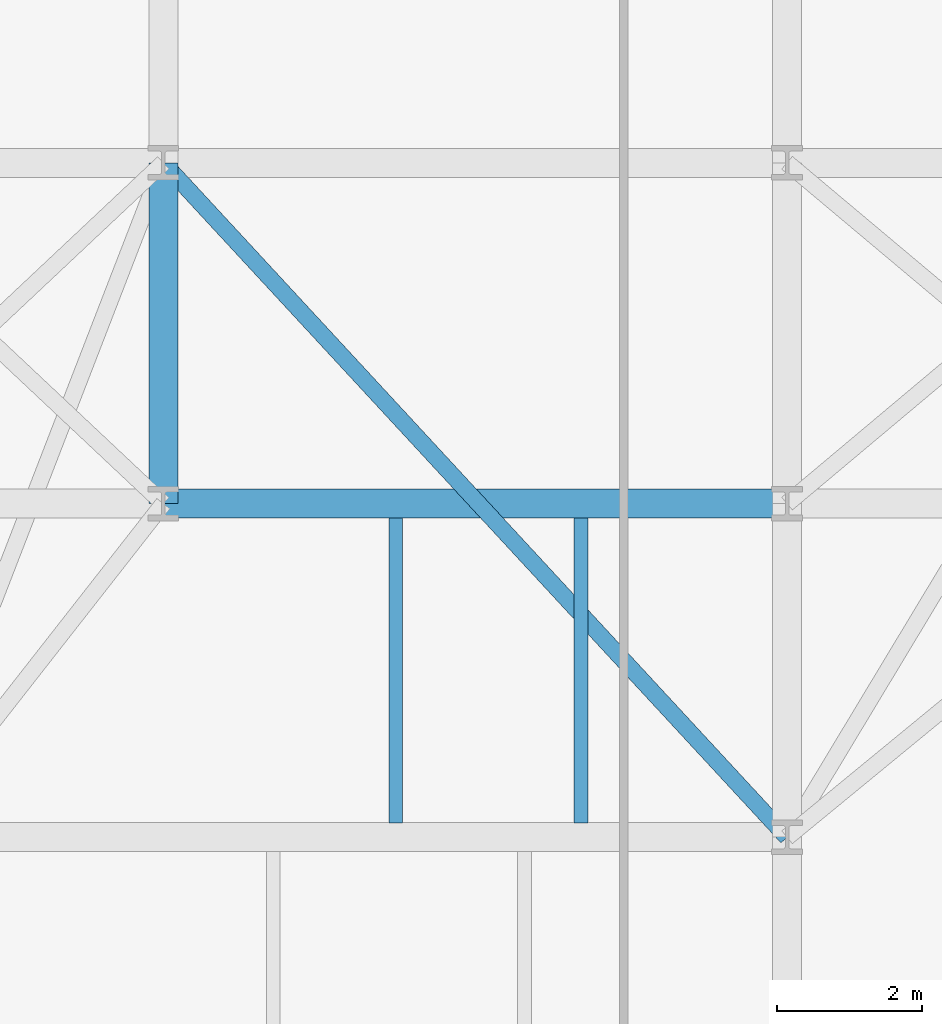
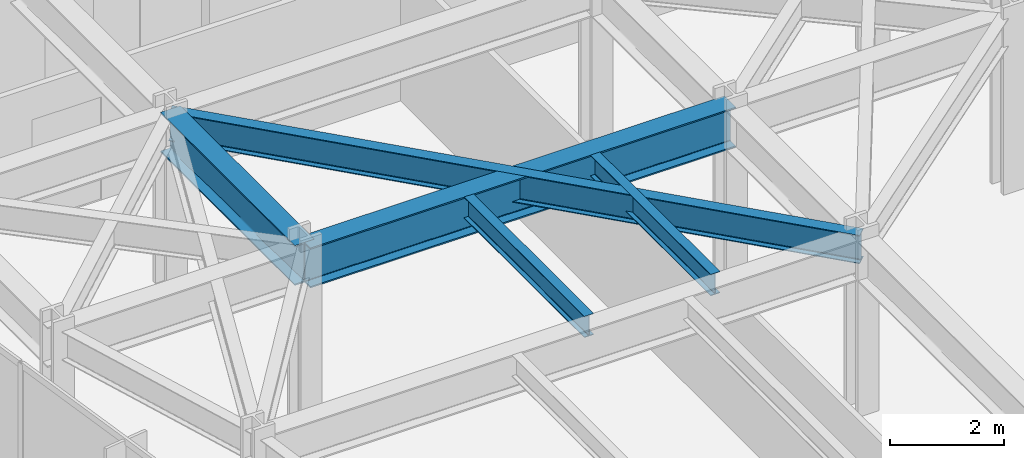
# One storey, part 10 of 26: 5 beams.
"""IFC4 building model written with IfcOpenShell, lengths in metres."""

import ifcopenshell
import ifcopenshell.guid

model = None  # the IFC model being written
_history = None  # IfcOwnerHistory: only IFC2X3 demands one
_inside = {}  # id of a spatial element -> (the spatial element, [elements in it])
_under = {}  # id of a project, library or spatial element -> (it, [spatial elements below it])
_declared = {}  # id of a project -> (the project, [libraries it declares])
_typed = {}  # id of a type object -> (the type object, [elements of that type])
_made_of = {}  # id of a material, layer set ... -> (it, [elements and type objects made of it])


def new_model(schema):
    """Start an empty IFC model of exactly this schema.

    Asked for "IFC4X3", IfcOpenShell would pick the latest addendum, in which some entities
    have other attributes; the version numbers below select the first issue.
    IFC2X3 requires an IfcOwnerHistory on every rooted entity: one is made here for all.
    """
    global model, _history
    if schema == "IFC4X3":
        model = ifcopenshell.file(schema_version=(4, 3, 0, 0))
    else:
        model = ifcopenshell.file(schema=schema)
    _inside.clear()
    _under.clear()
    _declared.clear()
    _typed.clear()
    _made_of.clear()
    _history = None
    if model.schema == "IFC2X3":
        org = make("IfcOrganization", Name="unknown")
        user = make(
            "IfcPersonAndOrganization",
            ThePerson=make("IfcPerson", FamilyName="unknown"),
            TheOrganization=org,
        )
        app = make(
            "IfcApplication",
            ApplicationDeveloper=org,
            Version="unknown",
            ApplicationFullName="unknown",
            ApplicationIdentifier="unknown",
        )
        _history = make(
            "IfcOwnerHistory",
            OwningUser=user,
            OwningApplication=app,
            ChangeAction="ADDED",
            CreationDate=0,
        )
    return model


def make(cls, **values):
    """One entity of the class cls with the attributes given. An attribute that is None is left unset."""
    return model.create_entity(
        cls, **{name: value for name, value in values.items() if value is not None}
    )


def rooted(cls, **values):
    """An entity with a GlobalId (a new one), such as an element, a storey or a relation."""
    return make(cls, GlobalId=ifcopenshell.guid.new(), OwnerHistory=_history, **values)


def si_unit(unit_type, name, prefix=None):
    """IfcSIUnit, for example si_unit("LENGTHUNIT", "METRE", prefix="MILLI")."""
    return make("IfcSIUnit", UnitType=unit_type, Prefix=prefix, Name=name)


def assignment(units):
    """IfcUnitAssignment: the units of a project."""
    return None if units is None else make("IfcUnitAssignment", Units=units)


def point(xyz):
    """IfcCartesianPoint."""
    return None if xyz is None else make("IfcCartesianPoint", Coordinates=xyz)


def direction(xyz):
    """IfcDirection."""
    return None if xyz is None else make("IfcDirection", DirectionRatios=xyz)


def frame(location, z_axis=None, x_axis=None):
    """IfcAxis2Placement3D, a coordinate frame: its origin and axes. An axis left out is left unset."""
    return make(
        "IfcAxis2Placement3D",
        Location=point(location),
        Axis=direction(z_axis),
        RefDirection=direction(x_axis),
    )


def frame_2d(location, x_axis=None):
    """IfcAxis2Placement2D, a coordinate frame in the plane: its origin and x axis."""
    return make(
        "IfcAxis2Placement2D", Location=point(location), RefDirection=direction(x_axis)
    )


def origin():
    """The frame at (0, 0, 0) with its axes left unset."""
    return frame((0.0, 0.0, 0.0))


def origin_2d():
    """The frame at (0, 0) in the plane with its x axis left unset."""
    return frame_2d((0.0, 0.0))


def place(relative_to, where):
    """IfcLocalPlacement: puts the frame where relative to a parent placement (None: the world)."""
    return make(
        "IfcLocalPlacement", PlacementRelTo=relative_to, RelativePlacement=where
    )


def context(
    kind, dimensions, precision=None, world=None, true_north=None, identifier=None
):
    """IfcGeometricRepresentationContext, for example the 3D "Model" context."""
    return make(
        "IfcGeometricRepresentationContext",
        ContextIdentifier=identifier,
        ContextType=kind,
        CoordinateSpaceDimension=dimensions,
        Precision=precision,
        WorldCoordinateSystem=world,
        TrueNorth=true_north,
    )


def subcontext(parent, identifier, kind, view, scale=None):
    """IfcGeometricRepresentationSubContext, for example "Body" below "Model"."""
    return make(
        "IfcGeometricRepresentationSubContext",
        ContextIdentifier=identifier,
        ContextType=kind,
        ParentContext=parent,
        TargetScale=scale,
        TargetView=view,
    )


def project(units=None, contexts=None):
    """IfcProject with its units and contexts."""
    return rooted(
        "IfcProject",
        Name="project",
        RepresentationContexts=contexts,
        UnitsInContext=assignment(units),
    )


def spatial(cls, under=None, at=None, **own):
    """A site, building, storey or space (cls), placed at a placement, below another one or the project."""
    s = rooted(cls, ObjectPlacement=at, **own)
    if under is not None:
        _under.setdefault(under.id(), (under, []))[1].append(s)
    return s


def profile(cls, at=None, kind="AREA", **sizes):
    """A parametric profile (cls). Its sizes go by their IFC names, for example OverallWidth=200.0."""
    return make(cls, ProfileType=kind, Position=at, **sizes)


def i_section(**sizes):
    """IfcIShapeProfileDef."""
    return profile("IfcIShapeProfileDef", **sizes)


def extrude(swept, where, along, depth):
    """IfcExtrudedAreaSolid: the profile swept, set in the frame where, extruded along a direction by depth."""
    return make(
        "IfcExtrudedAreaSolid",
        SweptArea=swept,
        Position=where,
        ExtrudedDirection=direction(along),
        Depth=depth,
    )


def shape(context_of_items, identifier, shape_type, items):
    """IfcShapeRepresentation: the items that make up one representation, for example the "Body"."""
    return make(
        "IfcShapeRepresentation",
        ContextOfItems=context_of_items,
        RepresentationIdentifier=identifier,
        RepresentationType=shape_type,
        Items=items,
    )


def material(Name=None, Category=None):
    """IfcMaterial."""
    return make("IfcMaterial", Name=Name, Category=Category)


def material_profile(
    of_material, cross_section, Name=None, Category=None, Priority=None
):
    """IfcMaterialProfile: a cross section and its material."""
    return make(
        "IfcMaterialProfile",
        Name=Name,
        Material=of_material,
        Profile=cross_section,
        Priority=Priority,
        Category=Category,
    )


def profile_set(profiles, Name=None, composite=None):
    """IfcMaterialProfileSet."""
    return make(
        "IfcMaterialProfileSet",
        Name=Name,
        MaterialProfiles=profiles,
        CompositeProfile=composite,
    )


def made_of(thing, what):
    """Note that an element or type object is made of a material, layer set ...; save() writes the relation."""
    if what is not None:
        _made_of.setdefault(what.id(), (what, []))[1].append(thing)
    return thing


def type_object(cls, material=None, **own):
    """A type object (cls), such as IfcWallType, which elements share."""
    return made_of(rooted(cls, **own), material)


def element(
    cls,
    number,
    at=None,
    inside=None,
    cuts=None,
    type_object=None,
    material=None,
    context=None,
    identifier="Body",
    shape_type=None,
    held_by="IfcProductDefinitionShape",
    body=None,
    shapes=None,
    **own,
):
    """One element of the class cls, such as IfcWall. Its Tag is "e" and its number.

    at: its placement. inside: the storey or other place that contains it. cuts: it is an
    opening in that element (IfcRelVoidsElement). A single representation is given by context,
    identifier, shape_type and body (its items); several are given by shapes. held_by: the class
    of the entity that holds the representations. save() writes the other relations.
    """
    e = rooted(cls, Tag="e%d" % number, ObjectPlacement=at, **own)
    if body is not None:
        shapes = [shape(context, identifier, shape_type, body)]
    if shapes is not None:
        e.Representation = make(held_by, Representations=shapes)
    if inside is not None:
        _inside.setdefault(inside.id(), (inside, []))[1].append(e)
    if cuts is not None:
        rooted(
            "IfcRelVoidsElement", RelatingBuildingElement=cuts, RelatedOpeningElement=e
        )
    if type_object is not None:
        _typed.setdefault(type_object.id(), (type_object, []))[1].append(e)
    return made_of(e, material)


def aggregate(whole, parts):
    """IfcRelAggregates: a whole, such as a stair, and the parts it consists of."""
    return rooted("IfcRelAggregates", RelatingObject=whole, RelatedObjects=parts)


def save(model, path):
    """Write the relations noted so far, then the file.

    IfcRelAggregates (storeys below a building ...), IfcRelContainedInSpatialStructure (elements
    in a storey), IfcRelDefinesByType, IfcRelAssociatesMaterial and IfcRelDeclares: one each for
    every whole, place, type object, material and project.
    """
    for whole, parts in _under.values():
        aggregate(whole, parts)
    for where, things in _inside.values():
        rooted(
            "IfcRelContainedInSpatialStructure",
            RelatedElements=things,
            RelatingStructure=where,
        )
    for kind, things in _typed.values():
        rooted("IfcRelDefinesByType", RelatedObjects=things, RelatingType=kind)
    for what, things in _made_of.values():
        rooted("IfcRelAssociatesMaterial", RelatedObjects=things, RelatingMaterial=what)
    for by, libraries in _declared.values():
        rooted("IfcRelDeclares", RelatingContext=by, RelatedDefinitions=libraries)
    model.write(path)


model = new_model("IFC4")

# Units and contexts
model_context = context("Model", 3, precision=1e-05, world=origin(), true_north=direction((0.0, 1.0)))
body_context = subcontext(model_context, "Body", "Model", "MODEL_VIEW")
ifc_project = project(units=[si_unit("LENGTHUNIT", "METRE"), si_unit("AREAUNIT", "SQUARE_METRE"), si_unit("VOLUMEUNIT", "CUBIC_METRE"), si_unit("PLANEANGLEUNIT", "RADIAN"), si_unit("MASSUNIT", "GRAM", prefix="KILO")], contexts=[model_context])

# Site, building, storey
site_placement = place(None, origin())
site = spatial("IfcSite", under=ifc_project, at=site_placement, CompositionType="ELEMENT")
building_placement = place(site_placement, origin())
building = spatial("IfcBuilding", under=site, at=building_placement, Name="Kravanh Interchange Tower", CompositionType="ELEMENT")
storey_placement = place(building_placement, frame((0.0, 0.0, 108.0)))
storey = spatial("IfcBuildingStorey", under=building, at=storey_placement, Name="L25", CompositionType="ELEMENT", Elevation=108.0)

# Beams
ifc_material_1 = material(Name="Structural Steel S355", Category="steel")
ifc_material_profile_1 = material_profile(ifc_material_1, i_section(OverallWidth=0.39990234375, OverallDepth=0.85595703125, WebThickness=0.018310546875, FlangeThickness=0.029296875, FilletRadius=0.02490234375, at=origin_2d()), Name="W33X201")
ifc_profile_set_1 = profile_set([ifc_material_profile_1], Name="Structural Steel S355")
beam_type_1 = type_object("IfcBeamType", Name="Floor Beam W33X201 Structural Steel S355", PredefinedType="BEAM", material=ifc_profile_set_1)
beam_1_placement = place(storey_placement, frame((18.60009765625, 26.800048828125, 3.322021484375), z_axis=(0.0, 1.0, 0.0), x_axis=(-1.0, 0.0, 0.0)))
element("IfcBeam", 1, at=beam_1_placement, inside=storey, type_object=beam_type_1, Name="L25 Primary Floor Girder 41", PredefinedType="BEAM", context=body_context, shape_type="SweptSolid", body=[
    extrude(i_section(OverallWidth=0.39990234375, OverallDepth=0.85595703125, WebThickness=0.018310546875, FlangeThickness=0.029296875, FilletRadius=0.02490234375, at=origin_2d()), origin(), (0.0, 0.0, 1.0), 4.699951171875),
])
beam_2_placement = place(storey_placement, frame((18.60009765625, 26.800048828125, 3.322021484375), z_axis=(1.0, 0.0, 0.0), x_axis=(0.0, 1.0, 0.0)))
element("IfcBeam", 2, at=beam_2_placement, inside=storey, type_object=beam_type_1, Name="L25 Primary Floor Girder 44", PredefinedType="BEAM", context=body_context, shape_type="SweptSolid", body=[
    extrude(i_section(OverallWidth=0.39990234375, OverallDepth=0.85595703125, WebThickness=0.018310546875, FlangeThickness=0.029296875, FilletRadius=0.02490234375, at=origin_2d()), origin(), (0.0, 0.0, 1.0), 8.599853515625),
])
ifc_material_2 = material(Name="Structural Steel S355", Category="steel")
ifc_material_profile_2 = material_profile(ifc_material_2, i_section(OverallWidth=0.18994140625, OverallDepth=0.45703125, WebThickness=0.009033203125, FlangeThickness=0.014404296875, FilletRadius=0.01806640625, at=origin_2d()), Name="W18X50")
ifc_profile_set_2 = profile_set([ifc_material_profile_2], Name="Structural Steel S355")
beam_type_2 = type_object("IfcBeamType", Name="Floor Joist W18X50 Structural Steel S355", PredefinedType="JOIST", material=ifc_profile_set_2)
for number, where, z_axis, x_axis, name in (
    (3, (21.804931640625, 22.39501953125, 3.521484375), (0.0, 1.0, 0.0), (-1.0, 0.0, 0.0), "L25 Secondary Floor Joist 11"),
    (4, (24.360107421875, 22.39501953125, 3.521484375), (0.0, 1.0, 0.0), (-1.0, 0.0, 0.0), "L25 Secondary Floor Joist 12"),
):
    element("IfcBeam", number, at=place(storey_placement, frame(where, z_axis=z_axis, x_axis=x_axis)), inside=storey, type_object=beam_type_2, Name=name, PredefinedType="JOIST", context=body_context, shape_type="SweptSolid", body=[
        extrude(i_section(OverallWidth=0.18994140625, OverallDepth=0.45703125, WebThickness=0.009033203125, FlangeThickness=0.014404296875, FilletRadius=0.01806640625, at=origin_2d()), origin(), (0.0, 0.0, 1.0), 4.2099609375),
    ])
ifc_material_3 = material(Name="Structural Steel S355", Category="steel")
ifc_material_profile_3 = material_profile(ifc_material_3, i_section(OverallWidth=0.22802734375, OverallDepth=0.60791015625, WebThickness=0.01123046875, FlangeThickness=0.017333984375, FilletRadius=0.02197265625, at=origin_2d()), Name="W24X76")
ifc_profile_set_3 = profile_set([ifc_material_profile_3], Name="Structural Steel S355")
beam_type_3 = type_object("IfcBeamType", Name="Floor Spandrel W24X76 Structural Steel S355", PredefinedType="SPANDREL", material=ifc_profile_set_3)
beam_3_placement = place(storey_placement, frame((18.60009765625, 31.5, 3.446044921875), z_axis=(0.678927458783, -0.734205356634, 0.0), x_axis=(0.734205356634, 0.678927458783, 0.0)))
element("IfcBeam", 5, at=beam_3_placement, inside=storey, type_object=beam_type_3, Name="L25 Perimeter Spandrel 73", PredefinedType="SPANDREL", context=body_context, shape_type="SweptSolid", body=[
    extrude(i_section(OverallWidth=0.22802734375, OverallDepth=0.60791015625, WebThickness=0.01123046875, FlangeThickness=0.017333984375, FilletRadius=0.02197265625, at=origin_2d()), origin(), (0.0, 0.0, 1.0), 12.666748046875),
])

save(model, "model.ifc")
